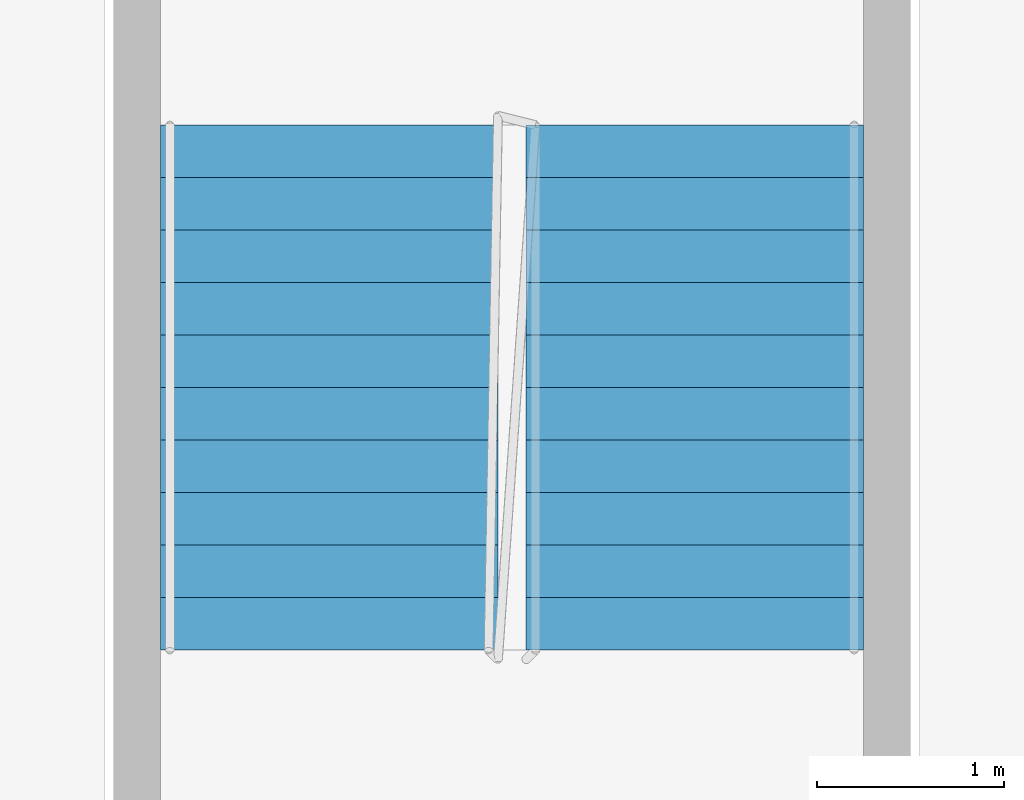
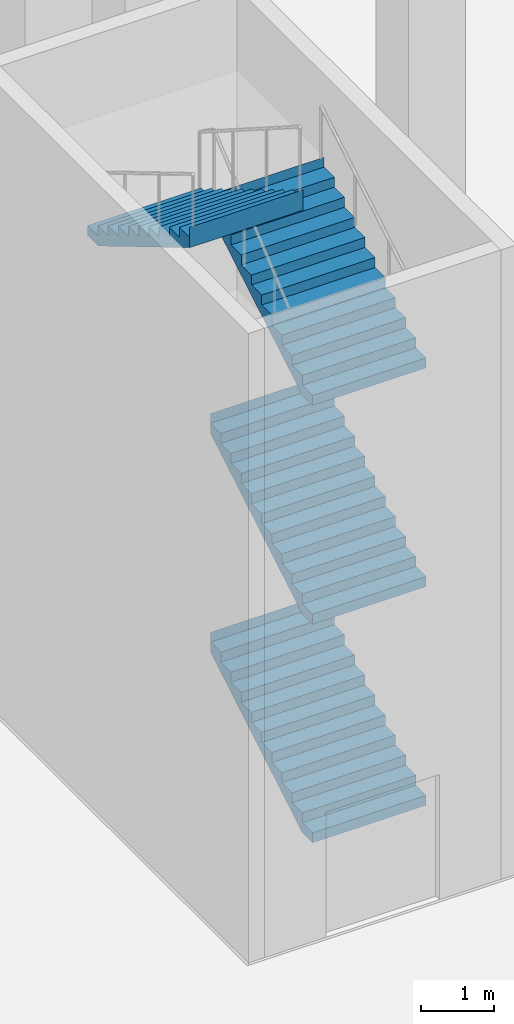
# One storey, part 15 of 26: 4 stair flights, 1 element without a shape of its own.
"""IFC4 building model written with IfcOpenShell, lengths in metres."""

from ifc_helpers import new_model, si_unit, direction, frame, origin, place, context, subcontext, project, spatial, faceted_brep, material, type_object, element, aggregate, save


model = new_model("IFC4")

# Units and contexts
model_context = context("Model", 3, precision=1e-05, world=origin(), true_north=direction((0.0, 1.0)))
body_context = subcontext(model_context, "Body", "Model", "MODEL_VIEW")
ifc_project = project(units=[si_unit("LENGTHUNIT", "METRE"), si_unit("AREAUNIT", "SQUARE_METRE"), si_unit("VOLUMEUNIT", "CUBIC_METRE"), si_unit("PLANEANGLEUNIT", "RADIAN"), si_unit("MASSUNIT", "GRAM", prefix="KILO")], contexts=[model_context])

# Site, building, storey
site_placement = place(None, origin())
site = spatial("IfcSite", under=ifc_project, at=site_placement, CompositionType="ELEMENT")
building_placement = place(site_placement, origin())
building = spatial("IfcBuilding", under=site, at=building_placement, Name="Kajstack Hotel Tower", CompositionType="ELEMENT")
storey_placement = place(building_placement, origin())
storey = spatial("IfcBuildingStorey", under=building, at=storey_placement, Name="L00", CompositionType="ELEMENT", Elevation=0.0)

# Stair, stair flights
ifc_material = material(Name="Concrete C40/50", Category="concrete")
stair_type = type_object("IfcStairType", Name="Escape stair 1800", PredefinedType="HALF_TURN_STAIR", material=ifc_material)
stair_placement = place(storey_placement, origin())
stair = element("IfcStair", 1, at=stair_placement, inside=storey, type_object=stair_type, Name="L00 stair P1", PredefinedType="HALF_TURN_STAIR")
stair_flight_type = type_object("IfcStairFlightType", Name="Escape stair flight 1800", PredefinedType="STRAIGHT", material=ifc_material)
stair_flight_1_placement = place(storey_placement, frame((-40.550048828125, 3.800048828125, 0.0), z_axis=(0.0, 0.0, 1.0), x_axis=(0.0, 1.0, 0.0)))
stair_flight_1 = element("IfcStairFlight", 2, at=stair_flight_1_placement, type_object=stair_flight_type, Name="P1 flight 1", NumberOfRisers=11, NumberOfTreads=10, PredefinedType="STRAIGHT", RiserHeight=0.166666667, TreadLength=0.28, context=body_context, shape_type="Brep", body=[
    faceted_brep([(0.29345703125, -0.89990234375, 0.0), (2.800537109375, -0.89990234375, 1.4921875), (2.800537109375, -0.89990234375, 1.833251953125), (2.800048828125, -0.89990234375, 1.833251953125), (2.800048828125, -0.89990234375, 1.666748046875), (2.52001953125, -0.89990234375, 1.666748046875), (2.52001953125, -0.89990234375, 1.5), (2.239990234375, -0.89990234375, 1.5), (2.239990234375, -0.89990234375, 1.333251953125), (1.9599609375, -0.89990234375, 1.333251953125), (1.9599609375, -0.89990234375, 1.166748046875), (1.679931640625, -0.89990234375, 1.166748046875), (1.679931640625, -0.89990234375, 1.0), (1.39990234375, -0.89990234375, 1.0), (1.39990234375, -0.89990234375, 0.833251953125), (1.1201171875, -0.89990234375, 0.833251953125), (1.1201171875, -0.89990234375, 0.666748046875), (0.840087890625, -0.89990234375, 0.666748046875), (0.840087890625, -0.89990234375, 0.5), (0.56005859375, -0.89990234375, 0.5), (0.56005859375, -0.89990234375, 0.333251953125), (0.280029296875, -0.89990234375, 0.333251953125), (0.280029296875, -0.89990234375, 0.166748046875), (-0.00048828125, -0.89990234375, 0.166748046875), (-0.00048828125, -0.89990234375, 0.0), (-0.00048828125, 0.89990234375, 0.0), (-0.00048828125, 0.89990234375, 0.166748046875), (0.280029296875, 0.89990234375, 0.166748046875), (0.280029296875, 0.89990234375, 0.333251953125), (0.56005859375, 0.89990234375, 0.333251953125), (0.56005859375, 0.89990234375, 0.5), (0.840087890625, 0.89990234375, 0.5), (0.840087890625, 0.89990234375, 0.666748046875), (1.1201171875, 0.89990234375, 0.666748046875), (1.1201171875, 0.89990234375, 0.833251953125), (1.39990234375, 0.89990234375, 0.833251953125), (1.39990234375, 0.89990234375, 1.0), (1.679931640625, 0.89990234375, 1.0), (1.679931640625, 0.89990234375, 1.166748046875), (1.9599609375, 0.89990234375, 1.166748046875), (1.9599609375, 0.89990234375, 1.333251953125), (2.239990234375, 0.89990234375, 1.333251953125), (2.239990234375, 0.89990234375, 1.5), (2.52001953125, 0.89990234375, 1.5), (2.52001953125, 0.89990234375, 1.666748046875), (2.800048828125, 0.89990234375, 1.666748046875), (2.800048828125, 0.89990234375, 1.833251953125), (2.800537109375, 0.89990234375, 1.833251953125), (2.800537109375, 0.89990234375, 1.4921875), (0.29345703125, 0.89990234375, 0.0), (-0.00048828125, -0.449951171875, 0.166748046875), (-0.00048828125, 0.0, 0.166748046875), (-0.00048828125, 0.449951171875, 0.166748046875), (-0.00048828125, 0.449951171875, 0.0), (-0.00048828125, 0.0, 0.0), (-0.00048828125, -0.449951171875, 0.0), (0.280029296875, -0.449951171875, 0.166748046875), (0.280029296875, 0.0, 0.166748046875), (0.280029296875, 0.449951171875, 0.166748046875), (0.280029296875, -0.449951171875, 0.333251953125), (0.280029296875, 0.0, 0.333251953125), (0.280029296875, 0.449951171875, 0.333251953125), (0.56005859375, -0.449951171875, 0.333251953125), (0.56005859375, 0.0, 0.333251953125), (0.56005859375, 0.449951171875, 0.333251953125), (0.56005859375, -0.449951171875, 0.5), (0.56005859375, 0.0, 0.5), (0.56005859375, 0.449951171875, 0.5), (0.840087890625, -0.449951171875, 0.5), (0.840087890625, 0.0, 0.5), (0.840087890625, 0.449951171875, 0.5), (0.840087890625, -0.449951171875, 0.666748046875), (0.840087890625, 0.0, 0.666748046875), (0.840087890625, 0.449951171875, 0.666748046875), (1.1201171875, -0.449951171875, 0.666748046875), (1.1201171875, 0.0, 0.666748046875), (1.1201171875, 0.449951171875, 0.666748046875), (1.1201171875, -0.449951171875, 0.833251953125), (1.1201171875, 0.0, 0.833251953125), (1.1201171875, 0.449951171875, 0.833251953125), (1.39990234375, -0.449951171875, 0.833251953125), (1.39990234375, 0.0, 0.833251953125), (1.39990234375, 0.449951171875, 0.833251953125), (1.39990234375, -0.449951171875, 1.0), (1.39990234375, 0.0, 1.0), (1.39990234375, 0.449951171875, 1.0), (1.679931640625, -0.449951171875, 1.0), (1.679931640625, 0.0, 1.0), (1.679931640625, 0.449951171875, 1.0), (1.679931640625, -0.449951171875, 1.166748046875), (1.679931640625, 0.0, 1.166748046875), (1.679931640625, 0.449951171875, 1.166748046875), (1.9599609375, -0.449951171875, 1.166748046875), (1.9599609375, 0.0, 1.166748046875), (1.9599609375, 0.449951171875, 1.166748046875), (1.9599609375, -0.449951171875, 1.333251953125), (1.9599609375, 0.0, 1.333251953125), (1.9599609375, 0.449951171875, 1.333251953125), (2.239990234375, -0.449951171875, 1.333251953125), (2.239990234375, 0.0, 1.333251953125), (2.239990234375, 0.449951171875, 1.333251953125), (2.239990234375, -0.449951171875, 1.5), (2.239990234375, 0.0, 1.5), (2.239990234375, 0.449951171875, 1.5), (2.52001953125, -0.449951171875, 1.5), (2.52001953125, 0.0, 1.5), (2.52001953125, 0.449951171875, 1.5), (2.52001953125, -0.449951171875, 1.666748046875), (2.52001953125, 0.0, 1.666748046875), (2.52001953125, 0.449951171875, 1.666748046875), (2.800048828125, -0.449951171875, 1.666748046875), (2.800048828125, 0.0, 1.666748046875), (2.800048828125, 0.449951171875, 1.666748046875), (2.800048828125, -0.449951171875, 1.833251953125), (2.800048828125, 0.0, 1.833251953125), (2.800048828125, 0.449951171875, 1.833251953125), (2.800537109375, -0.449951171875, 1.833251953125), (2.800537109375, 0.0, 1.833251953125), (2.800537109375, 0.449951171875, 1.833251953125), (2.800537109375, -0.449951171875, 1.4921875), (2.800537109375, 0.0, 1.4921875), (2.800537109375, 0.449951171875, 1.4921875), (0.29345703125, -0.449951171875, 0.0), (0.29345703125, 0.0, 0.0), (0.29345703125, 0.449951171875, 0.0)], [[[0, 1, 2, 3, 4, 5, 6, 7, 8, 9, 10, 11, 12, 13, 14, 15, 16, 17, 18, 19, 20, 21, 22, 23, 24]], [[25, 26, 27, 28, 29, 30, 31, 32, 33, 34, 35, 36, 37, 38, 39, 40, 41, 42, 43, 44, 45, 46, 47, 48, 49]], [[23, 50, 51, 52, 26, 25, 53, 54, 55, 24]], [[22, 56, 57, 58, 27, 26, 52, 51, 50, 23]], [[21, 59, 60, 61, 28, 27, 58, 57, 56, 22]], [[20, 62, 63, 64, 29, 28, 61, 60, 59, 21]], [[19, 65, 66, 67, 30, 29, 64, 63, 62, 20]], [[18, 68, 69, 70, 31, 30, 67, 66, 65, 19]], [[17, 71, 72, 73, 32, 31, 70, 69, 68, 18]], [[16, 74, 75, 76, 33, 32, 73, 72, 71, 17]], [[15, 77, 78, 79, 34, 33, 76, 75, 74, 16]], [[14, 80, 81, 82, 35, 34, 79, 78, 77, 15]], [[13, 83, 84, 85, 36, 35, 82, 81, 80, 14]], [[12, 86, 87, 88, 37, 36, 85, 84, 83, 13]], [[11, 89, 90, 91, 38, 37, 88, 87, 86, 12]], [[10, 92, 93, 94, 39, 38, 91, 90, 89, 11]], [[9, 95, 96, 97, 40, 39, 94, 93, 92, 10]], [[8, 98, 99, 100, 41, 40, 97, 96, 95, 9]], [[7, 101, 102, 103, 42, 41, 100, 99, 98, 8]], [[6, 104, 105, 106, 43, 42, 103, 102, 101, 7]], [[5, 107, 108, 109, 44, 43, 106, 105, 104, 6]], [[4, 110, 111, 112, 45, 44, 109, 108, 107, 5]], [[3, 113, 114, 115, 46, 45, 112, 111, 110, 4]], [[2, 116, 117, 118, 47, 46, 115, 114, 113, 3]], [[1, 119, 120, 121, 48, 47, 118, 117, 116, 2]], [[0, 122, 123, 124, 49, 48, 121, 120, 119, 1]], [[24, 55, 54, 53, 25, 49, 124, 123, 122, 0]]]),
])
stair_flight_2_placement = place(storey_placement, frame((-40.550048828125, 3.800048828125, 3.666748046875), z_axis=(0.0, 0.0, 1.0), x_axis=(0.0, 1.0, 0.0)))
stair_flight_2 = element("IfcStairFlight", 3, at=stair_flight_2_placement, type_object=stair_flight_type, Name="P1 flight 3", NumberOfRisers=11, NumberOfTreads=10, PredefinedType="STRAIGHT", RiserHeight=0.166666667, TreadLength=0.28, context=body_context, shape_type="Brep", body=[
    faceted_brep([(0.29345703125, -0.89990234375, 0.0), (2.800537109375, -0.89990234375, 1.4921875), (2.800537109375, -0.89990234375, 1.833251953125), (2.800048828125, -0.89990234375, 1.833251953125), (2.800048828125, -0.89990234375, 1.666748046875), (2.52001953125, -0.89990234375, 1.666748046875), (2.52001953125, -0.89990234375, 1.5), (2.239990234375, -0.89990234375, 1.5), (2.239990234375, -0.89990234375, 1.333251953125), (1.9599609375, -0.89990234375, 1.333251953125), (1.9599609375, -0.89990234375, 1.166748046875), (1.679931640625, -0.89990234375, 1.166748046875), (1.679931640625, -0.89990234375, 1.0), (1.39990234375, -0.89990234375, 1.0), (1.39990234375, -0.89990234375, 0.833251953125), (1.1201171875, -0.89990234375, 0.833251953125), (1.1201171875, -0.89990234375, 0.666748046875), (0.840087890625, -0.89990234375, 0.666748046875), (0.840087890625, -0.89990234375, 0.5), (0.56005859375, -0.89990234375, 0.5), (0.56005859375, -0.89990234375, 0.333251953125), (0.280029296875, -0.89990234375, 0.333251953125), (0.280029296875, -0.89990234375, 0.166748046875), (-0.00048828125, -0.89990234375, 0.166748046875), (-0.00048828125, -0.89990234375, 0.0), (-0.00048828125, 0.89990234375, 0.0), (-0.00048828125, 0.89990234375, 0.166748046875), (0.280029296875, 0.89990234375, 0.166748046875), (0.280029296875, 0.89990234375, 0.333251953125), (0.56005859375, 0.89990234375, 0.333251953125), (0.56005859375, 0.89990234375, 0.5), (0.840087890625, 0.89990234375, 0.5), (0.840087890625, 0.89990234375, 0.666748046875), (1.1201171875, 0.89990234375, 0.666748046875), (1.1201171875, 0.89990234375, 0.833251953125), (1.39990234375, 0.89990234375, 0.833251953125), (1.39990234375, 0.89990234375, 1.0), (1.679931640625, 0.89990234375, 1.0), (1.679931640625, 0.89990234375, 1.166748046875), (1.9599609375, 0.89990234375, 1.166748046875), (1.9599609375, 0.89990234375, 1.333251953125), (2.239990234375, 0.89990234375, 1.333251953125), (2.239990234375, 0.89990234375, 1.5), (2.52001953125, 0.89990234375, 1.5), (2.52001953125, 0.89990234375, 1.666748046875), (2.800048828125, 0.89990234375, 1.666748046875), (2.800048828125, 0.89990234375, 1.833251953125), (2.800537109375, 0.89990234375, 1.833251953125), (2.800537109375, 0.89990234375, 1.4921875), (0.29345703125, 0.89990234375, 0.0), (-0.00048828125, -0.449951171875, 0.166748046875), (-0.00048828125, 0.0, 0.166748046875), (-0.00048828125, 0.449951171875, 0.166748046875), (-0.00048828125, 0.449951171875, 0.0), (-0.00048828125, 0.0, 0.0), (-0.00048828125, -0.449951171875, 0.0), (0.280029296875, -0.449951171875, 0.166748046875), (0.280029296875, 0.0, 0.166748046875), (0.280029296875, 0.449951171875, 0.166748046875), (0.280029296875, -0.449951171875, 0.333251953125), (0.280029296875, 0.0, 0.333251953125), (0.280029296875, 0.449951171875, 0.333251953125), (0.56005859375, -0.449951171875, 0.333251953125), (0.56005859375, 0.0, 0.333251953125), (0.56005859375, 0.449951171875, 0.333251953125), (0.56005859375, -0.449951171875, 0.5), (0.56005859375, 0.0, 0.5), (0.56005859375, 0.449951171875, 0.5), (0.840087890625, -0.449951171875, 0.5), (0.840087890625, 0.0, 0.5), (0.840087890625, 0.449951171875, 0.5), (0.840087890625, -0.449951171875, 0.666748046875), (0.840087890625, 0.0, 0.666748046875), (0.840087890625, 0.449951171875, 0.666748046875), (1.1201171875, -0.449951171875, 0.666748046875), (1.1201171875, 0.0, 0.666748046875), (1.1201171875, 0.449951171875, 0.666748046875), (1.1201171875, -0.449951171875, 0.833251953125), (1.1201171875, 0.0, 0.833251953125), (1.1201171875, 0.449951171875, 0.833251953125), (1.39990234375, -0.449951171875, 0.833251953125), (1.39990234375, 0.0, 0.833251953125), (1.39990234375, 0.449951171875, 0.833251953125), (1.39990234375, -0.449951171875, 1.0), (1.39990234375, 0.0, 1.0), (1.39990234375, 0.449951171875, 1.0), (1.679931640625, -0.449951171875, 1.0), (1.679931640625, 0.0, 1.0), (1.679931640625, 0.449951171875, 1.0), (1.679931640625, -0.449951171875, 1.166748046875), (1.679931640625, 0.0, 1.166748046875), (1.679931640625, 0.449951171875, 1.166748046875), (1.9599609375, -0.449951171875, 1.166748046875), (1.9599609375, 0.0, 1.166748046875), (1.9599609375, 0.449951171875, 1.166748046875), (1.9599609375, -0.449951171875, 1.333251953125), (1.9599609375, 0.0, 1.333251953125), (1.9599609375, 0.449951171875, 1.333251953125), (2.239990234375, -0.449951171875, 1.333251953125), (2.239990234375, 0.0, 1.333251953125), (2.239990234375, 0.449951171875, 1.333251953125), (2.239990234375, -0.449951171875, 1.5), (2.239990234375, 0.0, 1.5), (2.239990234375, 0.449951171875, 1.5), (2.52001953125, -0.449951171875, 1.5), (2.52001953125, 0.0, 1.5), (2.52001953125, 0.449951171875, 1.5), (2.52001953125, -0.449951171875, 1.666748046875), (2.52001953125, 0.0, 1.666748046875), (2.52001953125, 0.449951171875, 1.666748046875), (2.800048828125, -0.449951171875, 1.666748046875), (2.800048828125, 0.0, 1.666748046875), (2.800048828125, 0.449951171875, 1.666748046875), (2.800048828125, -0.449951171875, 1.833251953125), (2.800048828125, 0.0, 1.833251953125), (2.800048828125, 0.449951171875, 1.833251953125), (2.800537109375, -0.449951171875, 1.833251953125), (2.800537109375, 0.0, 1.833251953125), (2.800537109375, 0.449951171875, 1.833251953125), (2.800537109375, -0.449951171875, 1.4921875), (2.800537109375, 0.0, 1.4921875), (2.800537109375, 0.449951171875, 1.4921875), (0.29345703125, -0.449951171875, 0.0), (0.29345703125, 0.0, 0.0), (0.29345703125, 0.449951171875, 0.0)], [[[0, 1, 2, 3, 4, 5, 6, 7, 8, 9, 10, 11, 12, 13, 14, 15, 16, 17, 18, 19, 20, 21, 22, 23, 24]], [[25, 26, 27, 28, 29, 30, 31, 32, 33, 34, 35, 36, 37, 38, 39, 40, 41, 42, 43, 44, 45, 46, 47, 48, 49]], [[23, 50, 51, 52, 26, 25, 53, 54, 55, 24]], [[22, 56, 57, 58, 27, 26, 52, 51, 50, 23]], [[21, 59, 60, 61, 28, 27, 58, 57, 56, 22]], [[20, 62, 63, 64, 29, 28, 61, 60, 59, 21]], [[19, 65, 66, 67, 30, 29, 64, 63, 62, 20]], [[18, 68, 69, 70, 31, 30, 67, 66, 65, 19]], [[17, 71, 72, 73, 32, 31, 70, 69, 68, 18]], [[16, 74, 75, 76, 33, 32, 73, 72, 71, 17]], [[15, 77, 78, 79, 34, 33, 76, 75, 74, 16]], [[14, 80, 81, 82, 35, 34, 79, 78, 77, 15]], [[13, 83, 84, 85, 36, 35, 82, 81, 80, 14]], [[12, 86, 87, 88, 37, 36, 85, 84, 83, 13]], [[11, 89, 90, 91, 38, 37, 88, 87, 86, 12]], [[10, 92, 93, 94, 39, 38, 91, 90, 89, 11]], [[9, 95, 96, 97, 40, 39, 94, 93, 92, 10]], [[8, 98, 99, 100, 41, 40, 97, 96, 95, 9]], [[7, 101, 102, 103, 42, 41, 100, 99, 98, 8]], [[6, 104, 105, 106, 43, 42, 103, 102, 101, 7]], [[5, 107, 108, 109, 44, 43, 106, 105, 104, 6]], [[4, 110, 111, 112, 45, 44, 109, 108, 107, 5]], [[3, 113, 114, 115, 46, 45, 112, 111, 110, 4]], [[2, 116, 117, 118, 47, 46, 115, 114, 113, 3]], [[1, 119, 120, 121, 48, 47, 118, 117, 116, 2]], [[0, 122, 123, 124, 49, 48, 121, 120, 119, 1]], [[24, 55, 54, 53, 25, 49, 124, 123, 122, 0]]]),
])
stair_flight_3_placement = place(storey_placement, frame((-40.550048828125, 3.800048828125, 7.333251953125), z_axis=(0.0, 0.0, 1.0), x_axis=(0.0, 1.0, 0.0)))
stair_flight_3 = element("IfcStairFlight", 4, at=stair_flight_3_placement, type_object=stair_flight_type, Name="P1 flight 5", NumberOfRisers=11, NumberOfTreads=10, PredefinedType="STRAIGHT", RiserHeight=0.166666667, TreadLength=0.28, context=body_context, shape_type="Brep", body=[
    faceted_brep([(0.29345703125, -0.89990234375, 0.0), (2.800537109375, -0.89990234375, 1.4921875), (2.800537109375, -0.89990234375, 1.833251953125), (2.800048828125, -0.89990234375, 1.833251953125), (2.800048828125, -0.89990234375, 1.666748046875), (2.52001953125, -0.89990234375, 1.666748046875), (2.52001953125, -0.89990234375, 1.5), (2.239990234375, -0.89990234375, 1.5), (2.239990234375, -0.89990234375, 1.333251953125), (1.9599609375, -0.89990234375, 1.333251953125), (1.9599609375, -0.89990234375, 1.166748046875), (1.679931640625, -0.89990234375, 1.166748046875), (1.679931640625, -0.89990234375, 1.0), (1.39990234375, -0.89990234375, 1.0), (1.39990234375, -0.89990234375, 0.833251953125), (1.1201171875, -0.89990234375, 0.833251953125), (1.1201171875, -0.89990234375, 0.666748046875), (0.840087890625, -0.89990234375, 0.666748046875), (0.840087890625, -0.89990234375, 0.5), (0.56005859375, -0.89990234375, 0.5), (0.56005859375, -0.89990234375, 0.333251953125), (0.280029296875, -0.89990234375, 0.333251953125), (0.280029296875, -0.89990234375, 0.166748046875), (-0.00048828125, -0.89990234375, 0.166748046875), (-0.00048828125, -0.89990234375, 0.0), (-0.00048828125, 0.89990234375, 0.0), (-0.00048828125, 0.89990234375, 0.166748046875), (0.280029296875, 0.89990234375, 0.166748046875), (0.280029296875, 0.89990234375, 0.333251953125), (0.56005859375, 0.89990234375, 0.333251953125), (0.56005859375, 0.89990234375, 0.5), (0.840087890625, 0.89990234375, 0.5), (0.840087890625, 0.89990234375, 0.666748046875), (1.1201171875, 0.89990234375, 0.666748046875), (1.1201171875, 0.89990234375, 0.833251953125), (1.39990234375, 0.89990234375, 0.833251953125), (1.39990234375, 0.89990234375, 1.0), (1.679931640625, 0.89990234375, 1.0), (1.679931640625, 0.89990234375, 1.166748046875), (1.9599609375, 0.89990234375, 1.166748046875), (1.9599609375, 0.89990234375, 1.333251953125), (2.239990234375, 0.89990234375, 1.333251953125), (2.239990234375, 0.89990234375, 1.5), (2.52001953125, 0.89990234375, 1.5), (2.52001953125, 0.89990234375, 1.666748046875), (2.800048828125, 0.89990234375, 1.666748046875), (2.800048828125, 0.89990234375, 1.833251953125), (2.800537109375, 0.89990234375, 1.833251953125), (2.800537109375, 0.89990234375, 1.4921875), (0.29345703125, 0.89990234375, 0.0), (-0.00048828125, -0.449951171875, 0.166748046875), (-0.00048828125, 0.0, 0.166748046875), (-0.00048828125, 0.449951171875, 0.166748046875), (-0.00048828125, 0.449951171875, 0.0), (-0.00048828125, 0.0, 0.0), (-0.00048828125, -0.449951171875, 0.0), (0.280029296875, -0.449951171875, 0.166748046875), (0.280029296875, 0.0, 0.166748046875), (0.280029296875, 0.449951171875, 0.166748046875), (0.280029296875, -0.449951171875, 0.333251953125), (0.280029296875, 0.0, 0.333251953125), (0.280029296875, 0.449951171875, 0.333251953125), (0.56005859375, -0.449951171875, 0.333251953125), (0.56005859375, 0.0, 0.333251953125), (0.56005859375, 0.449951171875, 0.333251953125), (0.56005859375, -0.449951171875, 0.5), (0.56005859375, 0.0, 0.5), (0.56005859375, 0.449951171875, 0.5), (0.840087890625, -0.449951171875, 0.5), (0.840087890625, 0.0, 0.5), (0.840087890625, 0.449951171875, 0.5), (0.840087890625, -0.449951171875, 0.666748046875), (0.840087890625, 0.0, 0.666748046875), (0.840087890625, 0.449951171875, 0.666748046875), (1.1201171875, -0.449951171875, 0.666748046875), (1.1201171875, 0.0, 0.666748046875), (1.1201171875, 0.449951171875, 0.666748046875), (1.1201171875, -0.449951171875, 0.833251953125), (1.1201171875, 0.0, 0.833251953125), (1.1201171875, 0.449951171875, 0.833251953125), (1.39990234375, -0.449951171875, 0.833251953125), (1.39990234375, 0.0, 0.833251953125), (1.39990234375, 0.449951171875, 0.833251953125), (1.39990234375, -0.449951171875, 1.0), (1.39990234375, 0.0, 1.0), (1.39990234375, 0.449951171875, 1.0), (1.679931640625, -0.449951171875, 1.0), (1.679931640625, 0.0, 1.0), (1.679931640625, 0.449951171875, 1.0), (1.679931640625, -0.449951171875, 1.166748046875), (1.679931640625, 0.0, 1.166748046875), (1.679931640625, 0.449951171875, 1.166748046875), (1.9599609375, -0.449951171875, 1.166748046875), (1.9599609375, 0.0, 1.166748046875), (1.9599609375, 0.449951171875, 1.166748046875), (1.9599609375, -0.449951171875, 1.333251953125), (1.9599609375, 0.0, 1.333251953125), (1.9599609375, 0.449951171875, 1.333251953125), (2.239990234375, -0.449951171875, 1.333251953125), (2.239990234375, 0.0, 1.333251953125), (2.239990234375, 0.449951171875, 1.333251953125), (2.239990234375, -0.449951171875, 1.5), (2.239990234375, 0.0, 1.5), (2.239990234375, 0.449951171875, 1.5), (2.52001953125, -0.449951171875, 1.5), (2.52001953125, 0.0, 1.5), (2.52001953125, 0.449951171875, 1.5), (2.52001953125, -0.449951171875, 1.666748046875), (2.52001953125, 0.0, 1.666748046875), (2.52001953125, 0.449951171875, 1.666748046875), (2.800048828125, -0.449951171875, 1.666748046875), (2.800048828125, 0.0, 1.666748046875), (2.800048828125, 0.449951171875, 1.666748046875), (2.800048828125, -0.449951171875, 1.833251953125), (2.800048828125, 0.0, 1.833251953125), (2.800048828125, 0.449951171875, 1.833251953125), (2.800537109375, -0.449951171875, 1.833251953125), (2.800537109375, 0.0, 1.833251953125), (2.800537109375, 0.449951171875, 1.833251953125), (2.800537109375, -0.449951171875, 1.4921875), (2.800537109375, 0.0, 1.4921875), (2.800537109375, 0.449951171875, 1.4921875), (0.29345703125, -0.449951171875, 0.0), (0.29345703125, 0.0, 0.0), (0.29345703125, 0.449951171875, 0.0)], [[[0, 1, 2, 3, 4, 5, 6, 7, 8, 9, 10, 11, 12, 13, 14, 15, 16, 17, 18, 19, 20, 21, 22, 23, 24]], [[25, 26, 27, 28, 29, 30, 31, 32, 33, 34, 35, 36, 37, 38, 39, 40, 41, 42, 43, 44, 45, 46, 47, 48, 49]], [[23, 50, 51, 52, 26, 25, 53, 54, 55, 24]], [[22, 56, 57, 58, 27, 26, 52, 51, 50, 23]], [[21, 59, 60, 61, 28, 27, 58, 57, 56, 22]], [[20, 62, 63, 64, 29, 28, 61, 60, 59, 21]], [[19, 65, 66, 67, 30, 29, 64, 63, 62, 20]], [[18, 68, 69, 70, 31, 30, 67, 66, 65, 19]], [[17, 71, 72, 73, 32, 31, 70, 69, 68, 18]], [[16, 74, 75, 76, 33, 32, 73, 72, 71, 17]], [[15, 77, 78, 79, 34, 33, 76, 75, 74, 16]], [[14, 80, 81, 82, 35, 34, 79, 78, 77, 15]], [[13, 83, 84, 85, 36, 35, 82, 81, 80, 14]], [[12, 86, 87, 88, 37, 36, 85, 84, 83, 13]], [[11, 89, 90, 91, 38, 37, 88, 87, 86, 12]], [[10, 92, 93, 94, 39, 38, 91, 90, 89, 11]], [[9, 95, 96, 97, 40, 39, 94, 93, 92, 10]], [[8, 98, 99, 100, 41, 40, 97, 96, 95, 9]], [[7, 101, 102, 103, 42, 41, 100, 99, 98, 8]], [[6, 104, 105, 106, 43, 42, 103, 102, 101, 7]], [[5, 107, 108, 109, 44, 43, 106, 105, 104, 6]], [[4, 110, 111, 112, 45, 44, 109, 108, 107, 5]], [[3, 113, 114, 115, 46, 45, 112, 111, 110, 4]], [[2, 116, 117, 118, 47, 46, 115, 114, 113, 3]], [[1, 119, 120, 121, 48, 47, 118, 117, 116, 2]], [[0, 122, 123, 124, 49, 48, 121, 120, 119, 1]], [[24, 55, 54, 53, 25, 49, 124, 123, 122, 0]]]),
])
stair_flight_4_placement = place(storey_placement, frame((-42.5, 6.60009765625, 9.166748046875), z_axis=(0.0, 0.0, 1.0), x_axis=(0.0, -1.0, 0.0)))
stair_flight_4 = element("IfcStairFlight", 5, at=stair_flight_4_placement, type_object=stair_flight_type, Name="P1 flight 6", NumberOfRisers=11, NumberOfTreads=10, PredefinedType="STRAIGHT", RiserHeight=0.166666667, TreadLength=0.28, context=body_context, shape_type="Brep", body=[
    faceted_brep([(0.29345703125, -0.89990234375, 0.0), (2.800537109375, -0.89990234375, 1.4921875), (2.800537109375, -0.89990234375, 1.833251953125), (2.800048828125, -0.89990234375, 1.833251953125), (2.800048828125, -0.89990234375, 1.666748046875), (2.52001953125, -0.89990234375, 1.666748046875), (2.52001953125, -0.89990234375, 1.5), (2.239990234375, -0.89990234375, 1.5), (2.239990234375, -0.89990234375, 1.333251953125), (1.9599609375, -0.89990234375, 1.333251953125), (1.9599609375, -0.89990234375, 1.166748046875), (1.679931640625, -0.89990234375, 1.166748046875), (1.679931640625, -0.89990234375, 1.0), (1.39990234375, -0.89990234375, 1.0), (1.39990234375, -0.89990234375, 0.833251953125), (1.1201171875, -0.89990234375, 0.833251953125), (1.1201171875, -0.89990234375, 0.666748046875), (0.840087890625, -0.89990234375, 0.666748046875), (0.840087890625, -0.89990234375, 0.5), (0.56005859375, -0.89990234375, 0.5), (0.56005859375, -0.89990234375, 0.333251953125), (0.280029296875, -0.89990234375, 0.333251953125), (0.280029296875, -0.89990234375, 0.166748046875), (-0.00048828125, -0.89990234375, 0.166748046875), (-0.00048828125, -0.89990234375, 0.0), (-0.00048828125, 0.89990234375, 0.0), (-0.00048828125, 0.89990234375, 0.166748046875), (0.280029296875, 0.89990234375, 0.166748046875), (0.280029296875, 0.89990234375, 0.333251953125), (0.56005859375, 0.89990234375, 0.333251953125), (0.56005859375, 0.89990234375, 0.5), (0.840087890625, 0.89990234375, 0.5), (0.840087890625, 0.89990234375, 0.666748046875), (1.1201171875, 0.89990234375, 0.666748046875), (1.1201171875, 0.89990234375, 0.833251953125), (1.39990234375, 0.89990234375, 0.833251953125), (1.39990234375, 0.89990234375, 1.0), (1.679931640625, 0.89990234375, 1.0), (1.679931640625, 0.89990234375, 1.166748046875), (1.9599609375, 0.89990234375, 1.166748046875), (1.9599609375, 0.89990234375, 1.333251953125), (2.239990234375, 0.89990234375, 1.333251953125), (2.239990234375, 0.89990234375, 1.5), (2.52001953125, 0.89990234375, 1.5), (2.52001953125, 0.89990234375, 1.666748046875), (2.800048828125, 0.89990234375, 1.666748046875), (2.800048828125, 0.89990234375, 1.833251953125), (2.800537109375, 0.89990234375, 1.833251953125), (2.800537109375, 0.89990234375, 1.4921875), (0.29345703125, 0.89990234375, 0.0), (-0.00048828125, -0.449951171875, 0.166748046875), (-0.00048828125, 0.0, 0.166748046875), (-0.00048828125, 0.449951171875, 0.166748046875), (-0.00048828125, 0.449951171875, 0.0), (-0.00048828125, 0.0, 0.0), (-0.00048828125, -0.449951171875, 0.0), (0.280029296875, -0.449951171875, 0.166748046875), (0.280029296875, 0.0, 0.166748046875), (0.280029296875, 0.449951171875, 0.166748046875), (0.280029296875, -0.449951171875, 0.333251953125), (0.280029296875, 0.0, 0.333251953125), (0.280029296875, 0.449951171875, 0.333251953125), (0.56005859375, -0.449951171875, 0.333251953125), (0.56005859375, 0.0, 0.333251953125), (0.56005859375, 0.449951171875, 0.333251953125), (0.56005859375, -0.449951171875, 0.5), (0.56005859375, 0.0, 0.5), (0.56005859375, 0.449951171875, 0.5), (0.840087890625, -0.449951171875, 0.5), (0.840087890625, 0.0, 0.5), (0.840087890625, 0.449951171875, 0.5), (0.840087890625, -0.449951171875, 0.666748046875), (0.840087890625, 0.0, 0.666748046875), (0.840087890625, 0.449951171875, 0.666748046875), (1.1201171875, -0.449951171875, 0.666748046875), (1.1201171875, 0.0, 0.666748046875), (1.1201171875, 0.449951171875, 0.666748046875), (1.1201171875, -0.449951171875, 0.833251953125), (1.1201171875, 0.0, 0.833251953125), (1.1201171875, 0.449951171875, 0.833251953125), (1.39990234375, -0.449951171875, 0.833251953125), (1.39990234375, 0.0, 0.833251953125), (1.39990234375, 0.449951171875, 0.833251953125), (1.39990234375, -0.449951171875, 1.0), (1.39990234375, 0.0, 1.0), (1.39990234375, 0.449951171875, 1.0), (1.679931640625, -0.449951171875, 1.0), (1.679931640625, 0.0, 1.0), (1.679931640625, 0.449951171875, 1.0), (1.679931640625, -0.449951171875, 1.166748046875), (1.679931640625, 0.0, 1.166748046875), (1.679931640625, 0.449951171875, 1.166748046875), (1.9599609375, -0.449951171875, 1.166748046875), (1.9599609375, 0.0, 1.166748046875), (1.9599609375, 0.449951171875, 1.166748046875), (1.9599609375, -0.449951171875, 1.333251953125), (1.9599609375, 0.0, 1.333251953125), (1.9599609375, 0.449951171875, 1.333251953125), (2.239990234375, -0.449951171875, 1.333251953125), (2.239990234375, 0.0, 1.333251953125), (2.239990234375, 0.449951171875, 1.333251953125), (2.239990234375, -0.449951171875, 1.5), (2.239990234375, 0.0, 1.5), (2.239990234375, 0.449951171875, 1.5), (2.52001953125, -0.449951171875, 1.5), (2.52001953125, 0.0, 1.5), (2.52001953125, 0.449951171875, 1.5), (2.52001953125, -0.449951171875, 1.666748046875), (2.52001953125, 0.0, 1.666748046875), (2.52001953125, 0.449951171875, 1.666748046875), (2.800048828125, -0.449951171875, 1.666748046875), (2.800048828125, 0.0, 1.666748046875), (2.800048828125, 0.449951171875, 1.666748046875), (2.800048828125, -0.449951171875, 1.833251953125), (2.800048828125, 0.0, 1.833251953125), (2.800048828125, 0.449951171875, 1.833251953125), (2.800537109375, -0.449951171875, 1.833251953125), (2.800537109375, 0.0, 1.833251953125), (2.800537109375, 0.449951171875, 1.833251953125), (2.800537109375, -0.449951171875, 1.4921875), (2.800537109375, 0.0, 1.4921875), (2.800537109375, 0.449951171875, 1.4921875), (0.29345703125, -0.449951171875, 0.0), (0.29345703125, 0.0, 0.0), (0.29345703125, 0.449951171875, 0.0)], [[[0, 1, 2, 3, 4, 5, 6, 7, 8, 9, 10, 11, 12, 13, 14, 15, 16, 17, 18, 19, 20, 21, 22, 23, 24]], [[25, 26, 27, 28, 29, 30, 31, 32, 33, 34, 35, 36, 37, 38, 39, 40, 41, 42, 43, 44, 45, 46, 47, 48, 49]], [[23, 50, 51, 52, 26, 25, 53, 54, 55, 24]], [[22, 56, 57, 58, 27, 26, 52, 51, 50, 23]], [[21, 59, 60, 61, 28, 27, 58, 57, 56, 22]], [[20, 62, 63, 64, 29, 28, 61, 60, 59, 21]], [[19, 65, 66, 67, 30, 29, 64, 63, 62, 20]], [[18, 68, 69, 70, 31, 30, 67, 66, 65, 19]], [[17, 71, 72, 73, 32, 31, 70, 69, 68, 18]], [[16, 74, 75, 76, 33, 32, 73, 72, 71, 17]], [[15, 77, 78, 79, 34, 33, 76, 75, 74, 16]], [[14, 80, 81, 82, 35, 34, 79, 78, 77, 15]], [[13, 83, 84, 85, 36, 35, 82, 81, 80, 14]], [[12, 86, 87, 88, 37, 36, 85, 84, 83, 13]], [[11, 89, 90, 91, 38, 37, 88, 87, 86, 12]], [[10, 92, 93, 94, 39, 38, 91, 90, 89, 11]], [[9, 95, 96, 97, 40, 39, 94, 93, 92, 10]], [[8, 98, 99, 100, 41, 40, 97, 96, 95, 9]], [[7, 101, 102, 103, 42, 41, 100, 99, 98, 8]], [[6, 104, 105, 106, 43, 42, 103, 102, 101, 7]], [[5, 107, 108, 109, 44, 43, 106, 105, 104, 6]], [[4, 110, 111, 112, 45, 44, 109, 108, 107, 5]], [[3, 113, 114, 115, 46, 45, 112, 111, 110, 4]], [[2, 116, 117, 118, 47, 46, 115, 114, 113, 3]], [[1, 119, 120, 121, 48, 47, 118, 117, 116, 2]], [[0, 122, 123, 124, 49, 48, 121, 120, 119, 1]], [[24, 55, 54, 53, 25, 49, 124, 123, 122, 0]]]),
])
aggregate(stair, [stair_flight_1, stair_flight_2, stair_flight_3, stair_flight_4])

save(model, "model.ifc")
